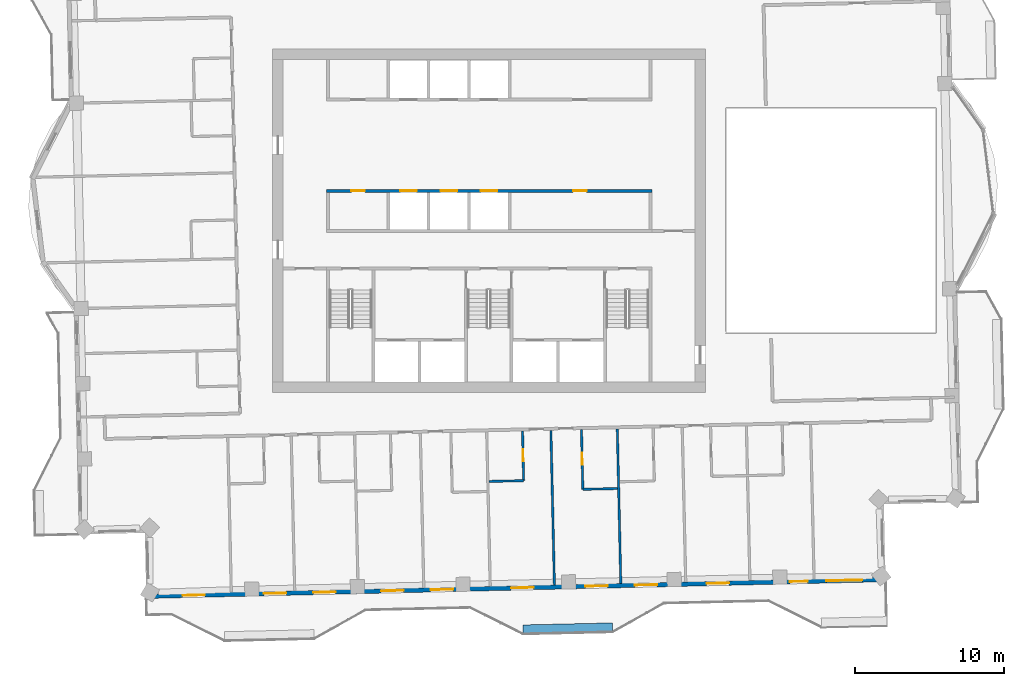
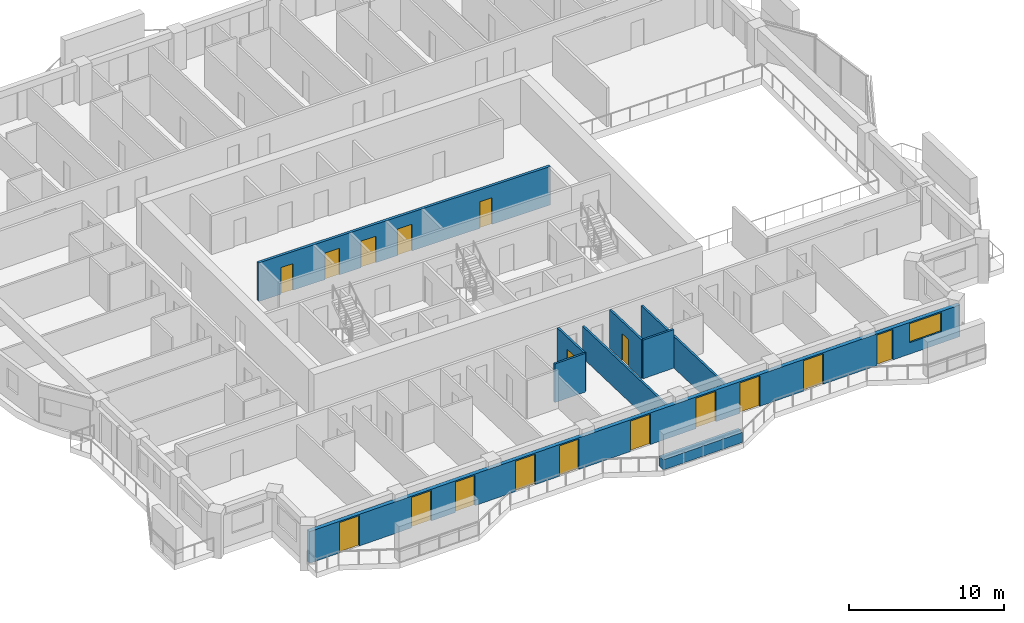
# One storey, part 9 of 18: 17 doors, 9 walls, 1 window, 18 openings.
"""IFC4 building model written with IfcOpenShell, lengths in metres."""

from ifc_helpers import new_model, si_unit, direction, frame, frame_2d, origin, place, context, subcontext, project, spatial, rectangle, extrude, material, layer, layer_set, type_object, element, fill, save


model = new_model("IFC4")

# Units and contexts
model_context = context("Model", 3, precision=1e-05, world=origin(), true_north=direction((0.0, 1.0)))
body_context = subcontext(model_context, "Body", "Model", "MODEL_VIEW")
ifc_project = project(units=[si_unit("LENGTHUNIT", "METRE"), si_unit("AREAUNIT", "SQUARE_METRE"), si_unit("VOLUMEUNIT", "CUBIC_METRE"), si_unit("PLANEANGLEUNIT", "RADIAN"), si_unit("MASSUNIT", "GRAM", prefix="KILO")], contexts=[model_context])

# Site, building, storey
site_placement = place(None, origin())
site = spatial("IfcSite", under=ifc_project, at=site_placement, CompositionType="ELEMENT")
building_placement = place(site_placement, origin())
building = spatial("IfcBuilding", under=site, at=building_placement, Name="Mangrove Gate Tower", CompositionType="ELEMENT")
storey_placement = place(building_placement, frame((0.0, 0.0, 287.10009765625)))
storey = spatial("IfcBuildingStorey", under=building, at=storey_placement, Name="L73", CompositionType="ELEMENT", Elevation=287.10009765625)

# Wall, openings, doors
ifc_material_1 = material(Name="Concrete C50/60", Category="concrete")
ifc_layer_1 = layer(ifc_material_1, 0.199951171875)
ifc_layer_set_1 = layer_set([ifc_layer_1], Name="Core shaft wall 200 C50/60")
wall_type_1 = type_object("IfcWallType", Name="Core shaft wall 200 C50/60", PredefinedType="SHEAR", material=ifc_layer_set_1)
wall_1_placement = place(storey_placement, frame((-10.89990234375, 2.0, 0.0), z_axis=(0.0, 0.0, 1.0), x_axis=(1.0, 0.0, 0.0)))
wall_1 = element("IfcWall", 1, at=wall_1_placement, inside=storey, type_object=wall_type_1, Name="WALL-L73-CORE-7", PredefinedType="SHEAR", context=body_context, shape_type="SweptSolid", body=[
    extrude(rectangle(XDim=21.7998046875, YDim=0.199951171875, at=frame_2d((10.89990234375, 0.0))), origin(), (0.0, 0.0, 1.0), 3.0498046875),
])
opening_1_placement = place(wall_1_placement, frame((4.949951171875, 0.0, 0.0)))
opening_1 = element("IfcOpeningElement", 2, at=opening_1_placement, cuts=wall_1, Name="Opening LD", PredefinedType="OPENING", context=body_context, shape_type="SweptSolid", body=[
    extrude(rectangle(XDim=1.10009765625, YDim=2.10009765625, at=frame_2d((0.550048828125, 1.050048828125))), frame((0.0, 0.10986328125, 0.0), z_axis=(0.0, -1.0, 0.0), x_axis=(1.0, 0.0, 0.0)), (0.0, 0.0, 1.0), 0.219970703125),
])
opening_2_placement = place(wall_1_placement, frame((7.64990234375, 0.0, 0.0)))
opening_2 = element("IfcOpeningElement", 3, at=opening_2_placement, cuts=wall_1, Name="Opening LD", PredefinedType="OPENING", context=body_context, shape_type="SweptSolid", body=[
    extrude(rectangle(XDim=1.10009765625, YDim=2.10009765625, at=frame_2d((0.550048828125, 1.050048828125))), frame((0.0, 0.10986328125, 0.0), z_axis=(0.0, -1.0, 0.0), x_axis=(1.0, 0.0, 0.0)), (0.0, 0.0, 1.0), 0.219970703125),
])
opening_3_placement = place(wall_1_placement, frame((10.35009765625, 0.0, 0.0)))
opening_3 = element("IfcOpeningElement", 4, at=opening_3_placement, cuts=wall_1, Name="Opening LD", PredefinedType="OPENING", context=body_context, shape_type="SweptSolid", body=[
    extrude(rectangle(XDim=1.10009765625, YDim=2.10009765625, at=frame_2d((0.550048828125, 1.050048828125))), frame((0.0, 0.10986328125, 0.0), z_axis=(0.0, -1.0, 0.0), x_axis=(1.0, 0.0, 0.0)), (0.0, 0.0, 1.0), 0.219970703125),
])
opening_4_placement = place(wall_1_placement, frame((1.675048828125, 0.0, 0.0)))
opening_4 = element("IfcOpeningElement", 5, at=opening_4_placement, cuts=wall_1, Name="Opening KD", PredefinedType="OPENING", context=body_context, shape_type="SweptSolid", body=[
    extrude(rectangle(XDim=0.89990234375, YDim=2.10009765625, at=frame_2d((0.449951171875, 1.050048828125))), frame((0.0, 0.10986328125, 0.0), z_axis=(0.0, -1.0, 0.0), x_axis=(1.0, 0.0, 0.0)), (0.0, 0.0, 1.0), 0.219970703125),
])
opening_5_placement = place(wall_1_placement, frame((16.52490234375, 0.0, 0.0)))
opening_5 = element("IfcOpeningElement", 6, at=opening_5_placement, cuts=wall_1, Name="Opening KD", PredefinedType="OPENING", context=body_context, shape_type="SweptSolid", body=[
    extrude(rectangle(XDim=0.89990234375, YDim=2.10009765625, at=frame_2d((0.449951171875, 1.050048828125))), frame((0.0, 0.10986328125, 0.0), z_axis=(0.0, -1.0, 0.0), x_axis=(1.0, 0.0, 0.0)), (0.0, 0.0, 1.0), 0.219970703125),
])
ifc_material_2 = material(Name="Fire-rated steel door set", Category="steel")
door_type_1 = type_object("IfcDoorType", Name="Core room door FD30S 900x2100", OperationType="SINGLE_SWING_RIGHT", PredefinedType="DOOR", material=ifc_material_2)
door_1_placement = place(opening_4_placement, origin())
door_1 = element("IfcDoor", 7, at=door_1_placement, inside=storey, type_object=door_type_1, Name="Core room door Pantry store", OperationType="SINGLE_SWING_RIGHT", OverallHeight=2.10009765625, OverallWidth=0.89990234375, PredefinedType="DOOR", context=body_context, shape_type="SweptSolid", body=[
    extrude(rectangle(XDim=0.89990234375, YDim=2.10009765625, at=frame_2d((0.449951171875, 1.050048828125))), frame((0.0, 0.02490234375, 0.0), z_axis=(0.0, -1.0, 0.0), x_axis=(1.0, 0.0, 0.0)), (0.0, 0.0, 1.0), 0.050048828125),
])
fill(opening_4, door_1)
door_2_placement = place(opening_5_placement, origin())
door_2 = element("IfcDoor", 8, at=door_2_placement, inside=storey, type_object=door_type_1, Name="Core room door Cleaner's store", OperationType="SINGLE_SWING_RIGHT", OverallHeight=2.10009765625, OverallWidth=0.89990234375, PredefinedType="DOOR", context=body_context, shape_type="SweptSolid", body=[
    extrude(rectangle(XDim=0.89990234375, YDim=2.10009765625, at=frame_2d((0.449951171875, 1.050048828125))), frame((0.0, 0.02490234375, 0.0), z_axis=(0.0, -1.0, 0.0), x_axis=(1.0, 0.0, 0.0)), (0.0, 0.0, 1.0), 0.050048828125),
])
fill(opening_5, door_2)
ifc_material_3 = material(Name="Stainless steel 316", Category="steel")
door_type_2 = type_object("IfcDoorType", Name="Lift landing door 1100x2100", OperationType="SLIDING_TO_LEFT", PredefinedType="DOOR", material=ifc_material_3)
door_3_placement = place(opening_1_placement, origin())
door_3 = element("IfcDoor", 9, at=door_3_placement, inside=storey, type_object=door_type_2, Name="Landing door LD H01", OperationType="SLIDING_TO_LEFT", OverallHeight=2.10009765625, OverallWidth=1.10009765625, PredefinedType="DOOR", context=body_context, shape_type="SweptSolid", body=[
    extrude(rectangle(XDim=1.10009765625, YDim=2.10009765625, at=frame_2d((0.550048828125, 1.050048828125))), frame((0.0, 0.02490234375, 0.0), z_axis=(0.0, -1.0, 0.0), x_axis=(1.0, 0.0, 0.0)), (0.0, 0.0, 1.0), 0.050048828125),
])
fill(opening_1, door_3)
door_4_placement = place(opening_2_placement, origin())
door_4 = element("IfcDoor", 10, at=door_4_placement, inside=storey, type_object=door_type_2, Name="Landing door LD H02", OperationType="SLIDING_TO_LEFT", OverallHeight=2.10009765625, OverallWidth=1.10009765625, PredefinedType="DOOR", context=body_context, shape_type="SweptSolid", body=[
    extrude(rectangle(XDim=1.10009765625, YDim=2.10009765625, at=frame_2d((0.550048828125, 1.050048828125))), frame((0.0, 0.02490234375, 0.0), z_axis=(0.0, -1.0, 0.0), x_axis=(1.0, 0.0, 0.0)), (0.0, 0.0, 1.0), 0.050048828125),
])
fill(opening_2, door_4)
door_5_placement = place(opening_3_placement, origin())
door_5 = element("IfcDoor", 11, at=door_5_placement, inside=storey, type_object=door_type_2, Name="Landing door LD H03", OperationType="SLIDING_TO_LEFT", OverallHeight=2.10009765625, OverallWidth=1.10009765625, PredefinedType="DOOR", context=body_context, shape_type="SweptSolid", body=[
    extrude(rectangle(XDim=1.10009765625, YDim=2.10009765625, at=frame_2d((0.550048828125, 1.050048828125))), frame((0.0, 0.02490234375, 0.0), z_axis=(0.0, -1.0, 0.0), x_axis=(1.0, 0.0, 0.0)), (0.0, 0.0, 1.0), 0.050048828125),
])
fill(opening_3, door_5)

# Wall, openings, doors, window
ifc_material_4 = material(Name="Limestone", Category="masonry")
ifc_layer_2 = layer(ifc_material_4, 0.0400390625, Name="Limestone cladding")
ifc_material_5 = material(Name="Ventilated air gap")
ifc_layer_3 = layer(ifc_material_5, 0.0400390625, Name="Ventilated cavity")
ifc_material_6 = material(Name="Mineral wool insulation")
ifc_layer_4 = layer(ifc_material_6, 0.06005859375, Name="Insulation")
ifc_material_7 = material(Name="Breather membrane")
ifc_layer_5 = layer(ifc_material_7, 0.001953125, Name="Breather membrane")
ifc_material_8 = material(Name="Concrete C20/25 blockwork", Category="masonry")
ifc_layer_6 = layer(ifc_material_8, 0.14990234375, Name="Blockwork backing wall")
ifc_material_9 = material(Name="Gypsum plaster")
ifc_layer_7 = layer(ifc_material_9, 0.008056640625, Name="Internal plaster")
ifc_layer_set_2 = layer_set([ifc_layer_2, ifc_layer_3, ifc_layer_4, ifc_layer_5, ifc_layer_6, ifc_layer_7], Name="External wall 300 limestone cladding")
wall_type_2 = type_object("IfcWallType", Name="External wall 300 limestone cladding", PredefinedType="SOLIDWALL", material=ifc_layer_set_2)
wall_2_placement = place(storey_placement, frame((-22.81591796875, -25.160888671875, 0.0), z_axis=(0.0, 0.0, 1.0), x_axis=(0.999742646411, 0.022685699159, 0.0)))
wall_2 = element("IfcWall", 12, at=wall_2_placement, inside=storey, type_object=wall_type_2, Name="WALL-L73-S13", PredefinedType="SOLIDWALL", context=body_context, shape_type="SweptSolid", body=[
    extrude(rectangle(XDim=49.235595703125, YDim=0.300048828125, at=frame_2d((24.61767578125, 0.0))), origin(), (0.0, 0.0, 1.0), 2.5),
])
opening_6_placement = place(wall_2_placement, frame((2.277099609375, 0.0, 0.0)))
opening_6 = element("IfcOpeningElement", 13, at=opening_6_placement, cuts=wall_2, Name="Opening BD1", PredefinedType="OPENING", context=body_context, shape_type="SweptSolid", body=[
    extrude(rectangle(XDim=1.5, YDim=2.39990234375, at=frame_2d((0.75, 1.199951171875))), frame((0.0, 0.159912109375, 0.0), z_axis=(0.0, -1.0, 0.0), x_axis=(1.0, 0.0, 0.0)), (0.0, 0.0, 1.0), 0.320068359375),
])
opening_7_placement = place(wall_2_placement, frame((7.72607421875, 0.0, 0.0)))
opening_7 = element("IfcOpeningElement", 14, at=opening_7_placement, cuts=wall_2, Name="Opening BD1", PredefinedType="OPENING", context=body_context, shape_type="SweptSolid", body=[
    extrude(rectangle(XDim=1.5, YDim=2.39990234375, at=frame_2d((0.75, 1.199951171875))), frame((0.0, 0.159912109375, 0.0), z_axis=(0.0, -1.0, 0.0), x_axis=(1.0, 0.0, 0.0)), (0.0, 0.0, 1.0), 0.320068359375),
])
opening_8_placement = place(wall_2_placement, frame((11.0390625, 0.0, 0.0)))
opening_8 = element("IfcOpeningElement", 15, at=opening_8_placement, cuts=wall_2, Name="Opening BD1", PredefinedType="OPENING", context=body_context, shape_type="SweptSolid", body=[
    extrude(rectangle(XDim=1.5, YDim=2.39990234375, at=frame_2d((0.75, 1.199951171875))), frame((0.0, 0.159912109375, 0.0), z_axis=(0.0, -1.0, 0.0), x_axis=(1.0, 0.0, 0.0)), (0.0, 0.0, 1.0), 0.320068359375),
])
opening_9_placement = place(wall_2_placement, frame((15.589111328125, 0.0, 0.0)))
opening_9 = element("IfcOpeningElement", 16, at=opening_9_placement, cuts=wall_2, Name="Opening BD1", PredefinedType="OPENING", context=body_context, shape_type="SweptSolid", body=[
    extrude(rectangle(XDim=1.5, YDim=2.39990234375, at=frame_2d((0.75, 1.199951171875))), frame((0.0, 0.159912109375, 0.0), z_axis=(0.0, -1.0, 0.0), x_axis=(1.0, 0.0, 0.0)), (0.0, 0.0, 1.0), 0.320068359375),
])
opening_10_placement = place(wall_2_placement, frame((18.903076171875, 0.0, 0.0)))
opening_10 = element("IfcOpeningElement", 17, at=opening_10_placement, cuts=wall_2, Name="Opening BD1", PredefinedType="OPENING", context=body_context, shape_type="SweptSolid", body=[
    extrude(rectangle(XDim=1.5, YDim=2.39990234375, at=frame_2d((0.75, 1.199951171875))), frame((0.0, 0.159912109375, 0.0), z_axis=(0.0, -1.0, 0.0), x_axis=(1.0, 0.0, 0.0)), (0.0, 0.0, 1.0), 0.320068359375),
])
opening_11_placement = place(wall_2_placement, frame((24.300048828125, 0.0, 0.0)))
opening_11 = element("IfcOpeningElement", 18, at=opening_11_placement, cuts=wall_2, Name="Opening BD1", PredefinedType="OPENING", context=body_context, shape_type="SweptSolid", body=[
    extrude(rectangle(XDim=1.5, YDim=2.39990234375, at=frame_2d((0.75, 1.199951171875))), frame((0.0, 0.159912109375, 0.0), z_axis=(0.0, -1.0, 0.0), x_axis=(1.0, 0.0, 0.0)), (0.0, 0.0, 1.0), 0.320068359375),
])
opening_12_placement = place(wall_2_placement, frame((29.264892578125, 0.0, 0.0)))
opening_12 = element("IfcOpeningElement", 19, at=opening_12_placement, cuts=wall_2, Name="Opening BD1", PredefinedType="OPENING", context=body_context, shape_type="SweptSolid", body=[
    extrude(rectangle(XDim=1.5, YDim=2.39990234375, at=frame_2d((0.75, 1.199951171875))), frame((0.0, 0.159912109375, 0.0), z_axis=(0.0, -1.0, 0.0), x_axis=(1.0, 0.0, 0.0)), (0.0, 0.0, 1.0), 0.320068359375),
])
opening_13_placement = place(wall_2_placement, frame((32.5791015625, 0.0, 0.0)))
opening_13 = element("IfcOpeningElement", 20, at=opening_13_placement, cuts=wall_2, Name="Opening BD1", PredefinedType="OPENING", context=body_context, shape_type="SweptSolid", body=[
    extrude(rectangle(XDim=1.5, YDim=2.39990234375, at=frame_2d((0.75, 1.199951171875))), frame((0.0, 0.159912109375, 0.0), z_axis=(0.0, -1.0, 0.0), x_axis=(1.0, 0.0, 0.0)), (0.0, 0.0, 1.0), 0.320068359375),
])
opening_14_placement = place(wall_2_placement, frame((37.39990234375, 0.0, 0.0)))
opening_14 = element("IfcOpeningElement", 21, at=opening_14_placement, cuts=wall_2, Name="Opening BD1", PredefinedType="OPENING", context=body_context, shape_type="SweptSolid", body=[
    extrude(rectangle(XDim=1.5, YDim=2.39990234375, at=frame_2d((0.75, 1.199951171875))), frame((0.0, 0.159912109375, 0.0), z_axis=(0.0, -1.0, 0.0), x_axis=(1.0, 0.0, 0.0)), (0.0, 0.0, 1.0), 0.320068359375),
])
opening_15_placement = place(wall_2_placement, frame((42.967041015625, 0.0, 0.0)))
opening_15 = element("IfcOpeningElement", 22, at=opening_15_placement, cuts=wall_2, Name="Opening BD2", PredefinedType="OPENING", context=body_context, shape_type="SweptSolid", body=[
    extrude(rectangle(XDim=1.199951171875, YDim=2.39990234375, at=frame_2d((0.60009765625, 1.199951171875))), frame((0.0, 0.159912109375, 0.0), z_axis=(0.0, -1.0, 0.0), x_axis=(1.0, 0.0, 0.0)), (0.0, 0.0, 1.0), 0.320068359375),
])
opening_16_placement = place(wall_2_placement, frame((45.4208984375, 0.0, 0.89990234375)))
opening_16 = element("IfcOpeningElement", 23, at=opening_16_placement, cuts=wall_2, Name="Opening W2", PredefinedType="OPENING", context=body_context, shape_type="SweptSolid", body=[
    extrude(rectangle(XDim=2.39990234375, YDim=1.5, at=frame_2d((1.199951171875, 0.75))), frame((0.0, 0.159912109375, 0.0), z_axis=(0.0, -1.0, 0.0), x_axis=(1.0, 0.0, 0.0)), (0.0, 0.0, 1.0), 0.320068359375),
])
ifc_material_10 = material(Name="Aluminium frame with laminated clear glass", Category="aluminium")
door_type_3 = type_object("IfcDoorType", Name="Balcony sliding door 1200x2400", OperationType="SLIDING_TO_LEFT", PredefinedType="DOOR", material=ifc_material_10)
door_6_placement = place(opening_15_placement, origin())
door_6 = element("IfcDoor", 24, at=door_6_placement, inside=storey, type_object=door_type_3, Name="DOOR-L73-S13-10", OperationType="SLIDING_TO_LEFT", OverallHeight=2.39990234375, OverallWidth=1.199951171875, PredefinedType="DOOR", context=body_context, shape_type="SweptSolid", body=[
    extrude(rectangle(XDim=1.199951171875, YDim=2.39990234375, at=frame_2d((0.60009765625, 1.199951171875))), frame((0.0, 0.02490234375, 0.0), z_axis=(0.0, -1.0, 0.0), x_axis=(1.0, 0.0, 0.0)), (0.0, 0.0, 1.0), 0.050048828125),
])
fill(opening_15, door_6)
ifc_material_11 = material(Name="Aluminium frame with laminated clear glass", Category="aluminium")
door_type_4 = type_object("IfcDoorType", Name="Balcony sliding door 1500x2400", OperationType="SLIDING_TO_LEFT", PredefinedType="DOOR", material=ifc_material_11)
door_7_placement = place(opening_6_placement, origin())
door_7 = element("IfcDoor", 25, at=door_7_placement, inside=storey, type_object=door_type_4, Name="DOOR-L73-S13-1", OperationType="SLIDING_TO_LEFT", OverallHeight=2.39990234375, OverallWidth=1.5, PredefinedType="DOOR", context=body_context, shape_type="SweptSolid", body=[
    extrude(rectangle(XDim=1.5, YDim=2.39990234375, at=frame_2d((0.75, 1.199951171875))), frame((0.0, 0.02490234375, 0.0), z_axis=(0.0, -1.0, 0.0), x_axis=(1.0, 0.0, 0.0)), (0.0, 0.0, 1.0), 0.050048828125),
])
fill(opening_6, door_7)
door_8_placement = place(opening_7_placement, origin())
door_8 = element("IfcDoor", 26, at=door_8_placement, inside=storey, type_object=door_type_4, Name="DOOR-L73-S13-2", OperationType="SLIDING_TO_LEFT", OverallHeight=2.39990234375, OverallWidth=1.5, PredefinedType="DOOR", context=body_context, shape_type="SweptSolid", body=[
    extrude(rectangle(XDim=1.5, YDim=2.39990234375, at=frame_2d((0.75, 1.199951171875))), frame((0.0, 0.02490234375, 0.0), z_axis=(0.0, -1.0, 0.0), x_axis=(1.0, 0.0, 0.0)), (0.0, 0.0, 1.0), 0.050048828125),
])
fill(opening_7, door_8)
door_9_placement = place(opening_8_placement, origin())
door_9 = element("IfcDoor", 27, at=door_9_placement, inside=storey, type_object=door_type_4, Name="DOOR-L73-S13-3", OperationType="SLIDING_TO_LEFT", OverallHeight=2.39990234375, OverallWidth=1.5, PredefinedType="DOOR", context=body_context, shape_type="SweptSolid", body=[
    extrude(rectangle(XDim=1.5, YDim=2.39990234375, at=frame_2d((0.75, 1.199951171875))), frame((0.0, 0.02490234375, 0.0), z_axis=(0.0, -1.0, 0.0), x_axis=(1.0, 0.0, 0.0)), (0.0, 0.0, 1.0), 0.050048828125),
])
fill(opening_8, door_9)
door_10_placement = place(opening_9_placement, origin())
door_10 = element("IfcDoor", 28, at=door_10_placement, inside=storey, type_object=door_type_4, Name="DOOR-L73-S13-4", OperationType="SLIDING_TO_LEFT", OverallHeight=2.39990234375, OverallWidth=1.5, PredefinedType="DOOR", context=body_context, shape_type="SweptSolid", body=[
    extrude(rectangle(XDim=1.5, YDim=2.39990234375, at=frame_2d((0.75, 1.199951171875))), frame((0.0, 0.02490234375, 0.0), z_axis=(0.0, -1.0, 0.0), x_axis=(1.0, 0.0, 0.0)), (0.0, 0.0, 1.0), 0.050048828125),
])
fill(opening_9, door_10)
door_11_placement = place(opening_10_placement, origin())
door_11 = element("IfcDoor", 29, at=door_11_placement, inside=storey, type_object=door_type_4, Name="DOOR-L73-S13-5", OperationType="SLIDING_TO_LEFT", OverallHeight=2.39990234375, OverallWidth=1.5, PredefinedType="DOOR", context=body_context, shape_type="SweptSolid", body=[
    extrude(rectangle(XDim=1.5, YDim=2.39990234375, at=frame_2d((0.75, 1.199951171875))), frame((0.0, 0.02490234375, 0.0), z_axis=(0.0, -1.0, 0.0), x_axis=(1.0, 0.0, 0.0)), (0.0, 0.0, 1.0), 0.050048828125),
])
fill(opening_10, door_11)
door_12_placement = place(opening_11_placement, origin())
door_12 = element("IfcDoor", 30, at=door_12_placement, inside=storey, type_object=door_type_4, Name="DOOR-L73-S13-6", OperationType="SLIDING_TO_LEFT", OverallHeight=2.39990234375, OverallWidth=1.5, PredefinedType="DOOR", context=body_context, shape_type="SweptSolid", body=[
    extrude(rectangle(XDim=1.5, YDim=2.39990234375, at=frame_2d((0.75, 1.199951171875))), frame((0.0, 0.02490234375, 0.0), z_axis=(0.0, -1.0, 0.0), x_axis=(1.0, 0.0, 0.0)), (0.0, 0.0, 1.0), 0.050048828125),
])
fill(opening_11, door_12)
door_13_placement = place(opening_12_placement, origin())
door_13 = element("IfcDoor", 31, at=door_13_placement, inside=storey, type_object=door_type_4, Name="DOOR-L73-S13-7", OperationType="SLIDING_TO_LEFT", OverallHeight=2.39990234375, OverallWidth=1.5, PredefinedType="DOOR", context=body_context, shape_type="SweptSolid", body=[
    extrude(rectangle(XDim=1.5, YDim=2.39990234375, at=frame_2d((0.75, 1.199951171875))), frame((0.0, 0.02490234375, 0.0), z_axis=(0.0, -1.0, 0.0), x_axis=(1.0, 0.0, 0.0)), (0.0, 0.0, 1.0), 0.050048828125),
])
fill(opening_12, door_13)
door_14_placement = place(opening_13_placement, origin())
door_14 = element("IfcDoor", 32, at=door_14_placement, inside=storey, type_object=door_type_4, Name="DOOR-L73-S13-8", OperationType="SLIDING_TO_LEFT", OverallHeight=2.39990234375, OverallWidth=1.5, PredefinedType="DOOR", context=body_context, shape_type="SweptSolid", body=[
    extrude(rectangle(XDim=1.5, YDim=2.39990234375, at=frame_2d((0.75, 1.199951171875))), frame((0.0, 0.02490234375, 0.0), z_axis=(0.0, -1.0, 0.0), x_axis=(1.0, 0.0, 0.0)), (0.0, 0.0, 1.0), 0.050048828125),
])
fill(opening_13, door_14)
door_15_placement = place(opening_14_placement, origin())
door_15 = element("IfcDoor", 33, at=door_15_placement, inside=storey, type_object=door_type_4, Name="DOOR-L73-S13-9", OperationType="SLIDING_TO_LEFT", OverallHeight=2.39990234375, OverallWidth=1.5, PredefinedType="DOOR", context=body_context, shape_type="SweptSolid", body=[
    extrude(rectangle(XDim=1.5, YDim=2.39990234375, at=frame_2d((0.75, 1.199951171875))), frame((0.0, 0.02490234375, 0.0), z_axis=(0.0, -1.0, 0.0), x_axis=(1.0, 0.0, 0.0)), (0.0, 0.0, 1.0), 0.050048828125),
])
fill(opening_14, door_15)
ifc_material_12 = material(Name="Aluminium frame with double-glazed low-e glass", Category="aluminium")
window_type = type_object("IfcWindowType", Name="Corner room window 2400x1500", PartitioningType="DOUBLE_PANEL_VERTICAL", PredefinedType="WINDOW", material=ifc_material_12)
window_placement = place(opening_16_placement, origin())
window = element("IfcWindow", 34, at=window_placement, inside=storey, type_object=window_type, Name="WIN-L73-S13-11", OverallHeight=1.5, OverallWidth=2.39990234375, PartitioningType="DOUBLE_PANEL_VERTICAL", PredefinedType="WINDOW", context=body_context, shape_type="SweptSolid", body=[
    extrude(rectangle(XDim=2.39990234375, YDim=1.5, at=frame_2d((1.199951171875, 0.75))), frame((0.0, 0.030029296875, 0.0), z_axis=(0.0, -1.0, 0.0), x_axis=(1.0, 0.0, 0.0)), (0.0, 0.0, 1.0), 0.06005859375),
])
fill(opening_16, window)

# Walls
ifc_material_13 = material(Name="Gypsum board on steel stud, EI 60", Category="steel")
ifc_layer_8 = layer(ifc_material_13, 0.14990234375)
ifc_layer_set_3 = layer_set([ifc_layer_8], Name="Party wall 150 EI 60")
wall_type_3 = type_object("IfcWallType", Name="Party wall 150 EI 60", PredefinedType="PARTITIONING", material=ifc_layer_set_3)
wall_3_placement = place(storey_placement, frame((4.3720703125, -24.39404296875, 0.0), z_axis=(0.0, 0.0, 1.0), x_axis=(-0.022713904397, 0.999742005993, 0.0)))
element("IfcWall", 35, at=wall_3_placement, inside=storey, type_object=wall_type_3, Name="WALL-L73-006", PredefinedType="PARTITIONING", context=body_context, shape_type="SweptSolid", body=[
    extrude(rectangle(XDim=10.350830078125, YDim=0.14990234375, at=frame_2d((5.17529296875, 0.0))), origin(), (0.0, 0.0, 1.0), 2.5),
])
wall_4_placement = place(storey_placement, frame((8.820068359375, -24.29296875, 0.0), z_axis=(0.0, 0.0, 1.0), x_axis=(-0.022622273571, 0.999744083623, 0.0)))
element("IfcWall", 36, at=wall_4_placement, inside=storey, type_object=wall_type_3, Name="WALL-L73-007", PredefinedType="PARTITIONING", context=body_context, shape_type="SweptSolid", body=[
    extrude(rectangle(XDim=10.349609375, YDim=0.14990234375, at=frame_2d((5.1748046875, 0.0))), origin(), (0.0, 0.0, 1.0), 2.5),
])

# Wall, opening, door
wall_5_placement = place(storey_placement, frame((6.277099609375, -17.9990234375, 0.0), z_axis=(0.0, 0.0, 1.0), x_axis=(-0.022765770952, 0.999740826251, 0.0)))
wall_5 = element("IfcWall", 37, at=wall_5_placement, inside=storey, type_object=wall_type_3, Name="WALL-L73-013", PredefinedType="PARTITIONING", context=body_context, shape_type="SweptSolid", body=[
    extrude(rectangle(XDim=4.0, YDim=0.14990234375, at=frame_2d((2.0, 0.0))), origin(), (0.0, 0.0, 1.0), 3.0498046875),
])
opening_17_placement = place(wall_5_placement, frame((1.64990234375, 0.0, 0.0)))
opening_17 = element("IfcOpeningElement", 38, at=opening_17_placement, cuts=wall_5, Name="Opening ED", PredefinedType="OPENING", context=body_context, shape_type="SweptSolid", body=[
    extrude(rectangle(XDim=0.800048828125, YDim=2.10009765625, at=frame_2d((0.39990234375, 1.050048828125))), frame((0.0, 0.0849609375, 0.0), z_axis=(0.0, -1.0, 0.0), x_axis=(1.0, 0.0, 0.0)), (0.0, 0.0, 1.0), 0.169921875),
])
ifc_material_14 = material(Name="Timber door leaf", Category="wood")
door_type_5 = type_object("IfcDoorType", Name="En-suite door 800", OperationType="SINGLE_SWING_LEFT", PredefinedType="DOOR", material=ifc_material_14)
door_16_placement = place(opening_17_placement, origin())
door_16 = element("IfcDoor", 39, at=door_16_placement, inside=storey, type_object=door_type_5, Name="DOOR-L73-ENS-c206", OperationType="SINGLE_SWING_RIGHT", OverallHeight=2.10009765625, OverallWidth=0.800048828125, PredefinedType="DOOR", context=body_context, shape_type="SweptSolid", body=[
    extrude(rectangle(XDim=0.800048828125, YDim=2.10009765625, at=frame_2d((0.39990234375, 1.050048828125))), frame((0.0, 0.02490234375, 0.0), z_axis=(0.0, -1.0, 0.0), x_axis=(1.0, 0.0, 0.0)), (0.0, 0.0, 1.0), 0.050048828125),
])
fill(opening_17, door_16)

# Walls
wall_6_placement = place(storey_placement, frame((6.279052734375, -17.9990234375, 0.0), z_axis=(0.0, 0.0, 1.0), x_axis=(0.999740260747, 0.02279059109, 0.0)))
element("IfcWall", 40, at=wall_6_placement, inside=storey, type_object=wall_type_3, Name="WALL-L73-014", PredefinedType="PARTITIONING", context=body_context, shape_type="SweptSolid", body=[
    extrude(rectangle(XDim=2.324462890625, YDim=0.14990234375, at=frame_2d((1.162109375, 0.0))), origin(), (0.0, 0.0, 1.0), 3.0498046875),
])
wall_7_placement = place(storey_placement, frame((-0.010009765625, -17.470947265625, 0.0), z_axis=(0.0, 0.0, 1.0), x_axis=(0.999749954681, 0.022361308448, 0.0)))
element("IfcWall", 41, at=wall_7_placement, inside=storey, type_object=wall_type_3, Name="WALL-L73-019", PredefinedType="PARTITIONING", context=body_context, shape_type="SweptSolid", body=[
    extrude(rectangle(XDim=2.325439453125, YDim=0.14990234375, at=frame_2d((1.16259765625, 0.0))), origin(), (0.0, 0.0, 1.0), 3.0498046875),
])

# Wall, opening, door
wall_8_placement = place(storey_placement, frame((2.31298828125, -17.4189453125, 0.0), z_axis=(0.0, 0.0, 1.0), x_axis=(-0.02280301672, 0.999739977408, 0.0)))
wall_8 = element("IfcWall", 42, at=wall_8_placement, inside=storey, type_object=wall_type_3, Name="WALL-L73-020", PredefinedType="PARTITIONING", context=body_context, shape_type="SweptSolid", body=[
    extrude(rectangle(XDim=3.329833984375, YDim=0.14990234375, at=frame_2d((1.6650390625, 0.0))), origin(), (0.0, 0.0, 1.0), 3.0498046875),
])
opening_18_placement = place(wall_8_placement, frame((1.31494140625, 0.0, 0.0)))
opening_18 = element("IfcOpeningElement", 43, at=opening_18_placement, cuts=wall_8, Name="Opening ED", PredefinedType="OPENING", context=body_context, shape_type="SweptSolid", body=[
    extrude(rectangle(XDim=0.800048828125, YDim=2.10009765625, at=frame_2d((0.39990234375, 1.050048828125))), frame((0.0, 0.0849609375, 0.0), z_axis=(0.0, -1.0, 0.0), x_axis=(1.0, 0.0, 0.0)), (0.0, 0.0, 1.0), 0.169921875),
])
door_17_placement = place(opening_18_placement, origin())
door_17 = element("IfcDoor", 44, at=door_17_placement, inside=storey, type_object=door_type_5, Name="DOOR-L73-ENS-c205", OperationType="SINGLE_SWING_LEFT", OverallHeight=2.10009765625, OverallWidth=0.800048828125, PredefinedType="DOOR", context=body_context, shape_type="SweptSolid", body=[
    extrude(rectangle(XDim=0.800048828125, YDim=2.10009765625, at=frame_2d((0.39990234375, 1.050048828125))), frame((0.0, 0.02490234375, 0.0), z_axis=(0.0, -1.0, 0.0), x_axis=(1.0, 0.0, 0.0)), (0.0, 0.0, 1.0), 0.050048828125),
])
fill(opening_18, door_17)

# Wall
ifc_material_15 = material(Name="Concrete C32/40", Category="concrete")
ifc_layer_9 = layer(ifc_material_15, 0.199951171875, Name="Planter trough wall")
ifc_material_16 = material(Name="Bituminous waterproofing membrane")
ifc_layer_10 = layer(ifc_material_16, 0.0048828125, Name="Waterproofing")
ifc_material_17 = material(Name="Drainage board and gravel")
ifc_layer_11 = layer(ifc_material_17, 0.044921875, Name="Drainage layer")
ifc_material_18 = material(Name="Planting soil")
ifc_layer_12 = layer(ifc_material_18, 0.300048828125, Name="Growing medium")
ifc_layer_set_4 = layer_set([ifc_layer_9, ifc_layer_10, ifc_layer_11, ifc_layer_12], Name="Planter wall 550 C32/40")
wall_type_4 = type_object("IfcWallType", Name="Planter wall 550 C32/40", PredefinedType="USERDEFINED", material=ifc_layer_set_4)
wall_9_placement = place(storey_placement, frame((2.259033203125, -27.35791015625, 0.0), z_axis=(0.0, 0.0, 1.0), x_axis=(0.999739392852, 0.022828630714, 0.0)))
element("IfcWall", 45, at=wall_9_placement, inside=storey, type_object=wall_type_4, Name="PLANTER L73 S1.1", ObjectType="PLANTER", PredefinedType="USERDEFINED", context=body_context, shape_type="SweptSolid", body=[
    extrude(rectangle(XDim=5.99951171875, YDim=0.550048828125, at=frame_2d((2.999755859375, 0.0))), origin(), (0.0, 0.0, 1.0), 0.7998046875),
])

save(model, "model.ifc")
